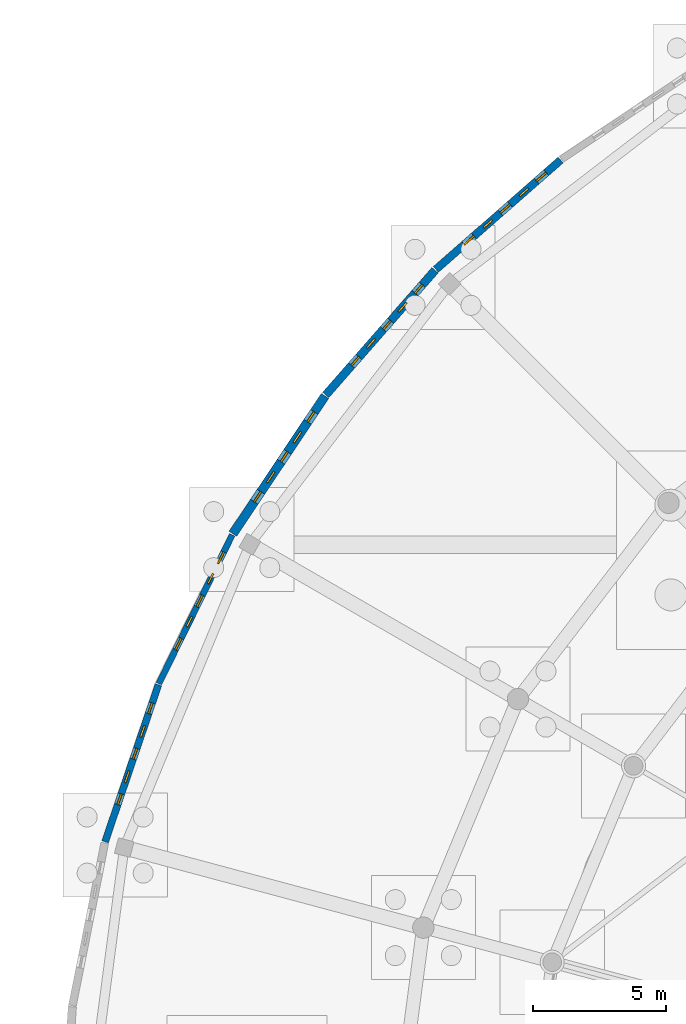
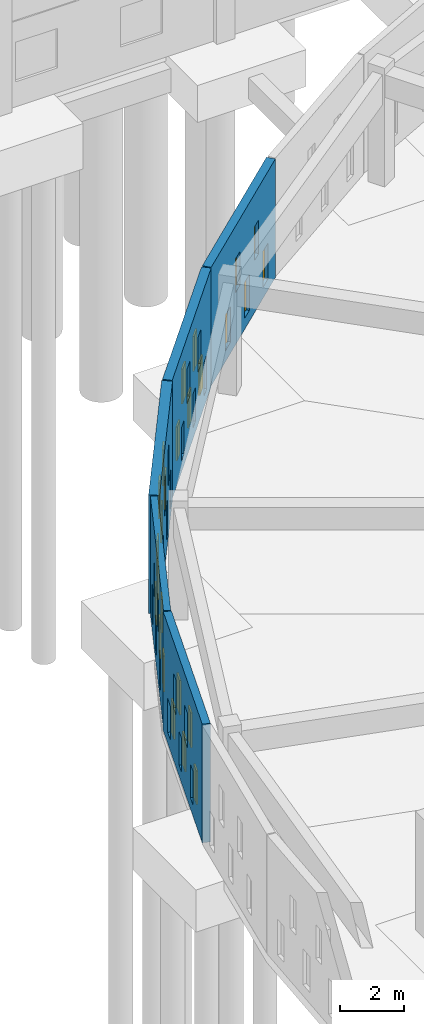
# One storey, part 50 of 84: 25 windows, 5 walls, 25 openings.
"""IFC4 building model written with IfcOpenShell, lengths in metres."""

import ifcopenshell
import ifcopenshell.guid

model = None  # the IFC model being written
_history = None  # IfcOwnerHistory: only IFC2X3 demands one
_inside = {}  # id of a spatial element -> (the spatial element, [elements in it])
_under = {}  # id of a project, library or spatial element -> (it, [spatial elements below it])
_declared = {}  # id of a project -> (the project, [libraries it declares])
_typed = {}  # id of a type object -> (the type object, [elements of that type])
_made_of = {}  # id of a material, layer set ... -> (it, [elements and type objects made of it])


def new_model(schema):
    """Start an empty IFC model of exactly this schema.

    Asked for "IFC4X3", IfcOpenShell would pick the latest addendum, in which some entities
    have other attributes; the version numbers below select the first issue.
    IFC2X3 requires an IfcOwnerHistory on every rooted entity: one is made here for all.
    """
    global model, _history
    if schema == "IFC4X3":
        model = ifcopenshell.file(schema_version=(4, 3, 0, 0))
    else:
        model = ifcopenshell.file(schema=schema)
    _inside.clear()
    _under.clear()
    _declared.clear()
    _typed.clear()
    _made_of.clear()
    _history = None
    if model.schema == "IFC2X3":
        org = make("IfcOrganization", Name="unknown")
        user = make(
            "IfcPersonAndOrganization",
            ThePerson=make("IfcPerson", FamilyName="unknown"),
            TheOrganization=org,
        )
        app = make(
            "IfcApplication",
            ApplicationDeveloper=org,
            Version="unknown",
            ApplicationFullName="unknown",
            ApplicationIdentifier="unknown",
        )
        _history = make(
            "IfcOwnerHistory",
            OwningUser=user,
            OwningApplication=app,
            ChangeAction="ADDED",
            CreationDate=0,
        )
    return model


def make(cls, **values):
    """One entity of the class cls with the attributes given. An attribute that is None is left unset."""
    return model.create_entity(
        cls, **{name: value for name, value in values.items() if value is not None}
    )


def rooted(cls, **values):
    """An entity with a GlobalId (a new one), such as an element, a storey or a relation."""
    return make(cls, GlobalId=ifcopenshell.guid.new(), OwnerHistory=_history, **values)


def si_unit(unit_type, name, prefix=None):
    """IfcSIUnit, for example si_unit("LENGTHUNIT", "METRE", prefix="MILLI")."""
    return make("IfcSIUnit", UnitType=unit_type, Prefix=prefix, Name=name)


def assignment(units):
    """IfcUnitAssignment: the units of a project."""
    return None if units is None else make("IfcUnitAssignment", Units=units)


def point(xyz):
    """IfcCartesianPoint."""
    return None if xyz is None else make("IfcCartesianPoint", Coordinates=xyz)


def direction(xyz):
    """IfcDirection."""
    return None if xyz is None else make("IfcDirection", DirectionRatios=xyz)


def frame(location, z_axis=None, x_axis=None):
    """IfcAxis2Placement3D, a coordinate frame: its origin and axes. An axis left out is left unset."""
    return make(
        "IfcAxis2Placement3D",
        Location=point(location),
        Axis=direction(z_axis),
        RefDirection=direction(x_axis),
    )


def frame_2d(location, x_axis=None):
    """IfcAxis2Placement2D, a coordinate frame in the plane: its origin and x axis."""
    return make(
        "IfcAxis2Placement2D", Location=point(location), RefDirection=direction(x_axis)
    )


def origin():
    """The frame at (0, 0, 0) with its axes left unset."""
    return frame((0.0, 0.0, 0.0))


def place(relative_to, where):
    """IfcLocalPlacement: puts the frame where relative to a parent placement (None: the world)."""
    return make(
        "IfcLocalPlacement", PlacementRelTo=relative_to, RelativePlacement=where
    )


def context(
    kind, dimensions, precision=None, world=None, true_north=None, identifier=None
):
    """IfcGeometricRepresentationContext, for example the 3D "Model" context."""
    return make(
        "IfcGeometricRepresentationContext",
        ContextIdentifier=identifier,
        ContextType=kind,
        CoordinateSpaceDimension=dimensions,
        Precision=precision,
        WorldCoordinateSystem=world,
        TrueNorth=true_north,
    )


def subcontext(parent, identifier, kind, view, scale=None):
    """IfcGeometricRepresentationSubContext, for example "Body" below "Model"."""
    return make(
        "IfcGeometricRepresentationSubContext",
        ContextIdentifier=identifier,
        ContextType=kind,
        ParentContext=parent,
        TargetScale=scale,
        TargetView=view,
    )


def project(units=None, contexts=None):
    """IfcProject with its units and contexts."""
    return rooted(
        "IfcProject",
        Name="project",
        RepresentationContexts=contexts,
        UnitsInContext=assignment(units),
    )


def spatial(cls, under=None, at=None, **own):
    """A site, building, storey or space (cls), placed at a placement, below another one or the project."""
    s = rooted(cls, ObjectPlacement=at, **own)
    if under is not None:
        _under.setdefault(under.id(), (under, []))[1].append(s)
    return s


def profile(cls, at=None, kind="AREA", **sizes):
    """A parametric profile (cls). Its sizes go by their IFC names, for example OverallWidth=200.0."""
    return make(cls, ProfileType=kind, Position=at, **sizes)


def rectangle(**sizes):
    """IfcRectangleProfileDef."""
    return profile("IfcRectangleProfileDef", **sizes)


def extrude(swept, where, along, depth):
    """IfcExtrudedAreaSolid: the profile swept, set in the frame where, extruded along a direction by depth."""
    return make(
        "IfcExtrudedAreaSolid",
        SweptArea=swept,
        Position=where,
        ExtrudedDirection=direction(along),
        Depth=depth,
    )


def shape(context_of_items, identifier, shape_type, items):
    """IfcShapeRepresentation: the items that make up one representation, for example the "Body"."""
    return make(
        "IfcShapeRepresentation",
        ContextOfItems=context_of_items,
        RepresentationIdentifier=identifier,
        RepresentationType=shape_type,
        Items=items,
    )


def material(Name=None, Category=None):
    """IfcMaterial."""
    return make("IfcMaterial", Name=Name, Category=Category)


def layer(
    of_material, thickness, ventilated=None, Name=None, Category=None, Priority=None
):
    """IfcMaterialLayer: one layer of a wall or slab, of a material (None: an air gap)."""
    return make(
        "IfcMaterialLayer",
        Material=of_material,
        LayerThickness=thickness,
        IsVentilated=ventilated,
        Name=Name,
        Category=Category,
        Priority=Priority,
    )


def layer_set(layers, Name=None):
    """IfcMaterialLayerSet."""
    return make("IfcMaterialLayerSet", MaterialLayers=layers, LayerSetName=Name)


def made_of(thing, what):
    """Note that an element or type object is made of a material, layer set ...; save() writes the relation."""
    if what is not None:
        _made_of.setdefault(what.id(), (what, []))[1].append(thing)
    return thing


def type_object(cls, material=None, **own):
    """A type object (cls), such as IfcWallType, which elements share."""
    return made_of(rooted(cls, **own), material)


def element(
    cls,
    number,
    at=None,
    inside=None,
    cuts=None,
    type_object=None,
    material=None,
    context=None,
    identifier="Body",
    shape_type=None,
    held_by="IfcProductDefinitionShape",
    body=None,
    shapes=None,
    **own,
):
    """One element of the class cls, such as IfcWall. Its Tag is "e" and its number.

    at: its placement. inside: the storey or other place that contains it. cuts: it is an
    opening in that element (IfcRelVoidsElement). A single representation is given by context,
    identifier, shape_type and body (its items); several are given by shapes. held_by: the class
    of the entity that holds the representations. save() writes the other relations.
    """
    e = rooted(cls, Tag="e%d" % number, ObjectPlacement=at, **own)
    if body is not None:
        shapes = [shape(context, identifier, shape_type, body)]
    if shapes is not None:
        e.Representation = make(held_by, Representations=shapes)
    if inside is not None:
        _inside.setdefault(inside.id(), (inside, []))[1].append(e)
    if cuts is not None:
        rooted(
            "IfcRelVoidsElement", RelatingBuildingElement=cuts, RelatedOpeningElement=e
        )
    if type_object is not None:
        _typed.setdefault(type_object.id(), (type_object, []))[1].append(e)
    return made_of(e, material)


def fill(opening, filler):
    """IfcRelFillsElement: the door or window that sits in an opening."""
    return rooted(
        "IfcRelFillsElement",
        RelatingOpeningElement=opening,
        RelatedBuildingElement=filler,
    )


def aggregate(whole, parts):
    """IfcRelAggregates: a whole, such as a stair, and the parts it consists of."""
    return rooted("IfcRelAggregates", RelatingObject=whole, RelatedObjects=parts)


def save(model, path):
    """Write the relations noted so far, then the file.

    IfcRelAggregates (storeys below a building ...), IfcRelContainedInSpatialStructure (elements
    in a storey), IfcRelDefinesByType, IfcRelAssociatesMaterial and IfcRelDeclares: one each for
    every whole, place, type object, material and project.
    """
    for whole, parts in _under.values():
        aggregate(whole, parts)
    for where, things in _inside.values():
        rooted(
            "IfcRelContainedInSpatialStructure",
            RelatedElements=things,
            RelatingStructure=where,
        )
    for kind, things in _typed.values():
        rooted("IfcRelDefinesByType", RelatedObjects=things, RelatingType=kind)
    for what, things in _made_of.values():
        rooted("IfcRelAssociatesMaterial", RelatedObjects=things, RelatingMaterial=what)
    for by, libraries in _declared.values():
        rooted("IfcRelDeclares", RelatingContext=by, RelatedDefinitions=libraries)
    model.write(path)


model = new_model("IFC4")

# Units and contexts
model_context = context("Model", 3, precision=1e-05, world=origin(), true_north=direction((0.0, 1.0)))
body_context = subcontext(model_context, "Body", "Model", "MODEL_VIEW")
ifc_project = project(units=[si_unit("LENGTHUNIT", "METRE"), si_unit("AREAUNIT", "SQUARE_METRE"), si_unit("VOLUMEUNIT", "CUBIC_METRE"), si_unit("PLANEANGLEUNIT", "RADIAN"), si_unit("MASSUNIT", "GRAM", prefix="KILO")], contexts=[model_context])

# Site, building, storey
site_placement = place(None, origin())
site = spatial("IfcSite", under=ifc_project, at=site_placement, CompositionType="ELEMENT")
building_placement = place(site_placement, origin())
building = spatial("IfcBuilding", under=site, at=building_placement, Name="Larkveld Mobility Hub", CompositionType="ELEMENT")
storey_placement = place(building_placement, origin())
storey = spatial("IfcBuildingStorey", under=building, at=storey_placement, Name="L00", CompositionType="ELEMENT", Elevation=0.0)

# Wall, openings, windows
ifc_material_1 = material(Name="Fired clay brick 25 MPa", Category="masonry")
ifc_layer_1 = layer(ifc_material_1, 0.22998046875, Name="Fired clay brick 25 MPa", Category="masonry")
ifc_layer_set_1 = layer_set([ifc_layer_1], Name="Fired clay brick 25 MPa")
wall_type_1 = type_object("IfcWallType", Name="WL-BRK-230", PredefinedType="USERDEFINED", material=ifc_layer_set_1)
wall_1_placement = place(storey_placement, frame((6.550048828125, 71.903076171875, 0.0), z_axis=(0.0, 0.0, 1.0), x_axis=(-0.442316740488, -0.896858908126, 0.0)))
wall_1 = element("IfcWall", 1, at=wall_1_placement, inside=storey, type_object=wall_type_1, Name="Drum Woven Open-Bond Brick Chord L00-0019", ObjectType="PERFORATED BRICK SCREEN", PredefinedType="USERDEFINED", context=body_context, shape_type="SweptSolid", body=[
    extrude(rectangle(XDim=6.210693359375, YDim=0.22998046875, at=frame_2d((3.10546875, 0.0))), origin(), (0.0, 0.0, 1.0), 4.5),
])
opening_1_placement = place(wall_1_placement, frame((0.719970703125, 0.0, 0.419921875)))
opening_1 = element("IfcOpeningElement", 2, at=opening_1_placement, cuts=wall_1, Name="Opening W03", PredefinedType="OPENING", context=body_context, shape_type="SweptSolid", body=[
    extrude(rectangle(XDim=0.47998046875, YDim=1.360107421875, at=frame_2d((0.239990234375, 0.68017578125))), frame((0.0, 0.125, 0.0), z_axis=(0.0, -1.0, 0.0), x_axis=(1.0, 0.0, 0.0)), (0.0, 0.0, 1.0), 0.25),
])
opening_2_placement = place(wall_1_placement, frame((2.52001953125, 0.0, 0.419921875)))
opening_2 = element("IfcOpeningElement", 3, at=opening_2_placement, cuts=wall_1, Name="Opening W03", PredefinedType="OPENING", context=body_context, shape_type="SweptSolid", body=[
    extrude(rectangle(XDim=0.47998046875, YDim=1.360107421875, at=frame_2d((0.239990234375, 0.68017578125))), frame((0.0, 0.125, 0.0), z_axis=(0.0, -1.0, 0.0), x_axis=(1.0, 0.0, 0.0)), (0.0, 0.0, 1.0), 0.25),
])
opening_3_placement = place(wall_1_placement, frame((4.320068359375, 0.0, 0.419921875)))
opening_3 = element("IfcOpeningElement", 4, at=opening_3_placement, cuts=wall_1, Name="Opening W03", PredefinedType="OPENING", context=body_context, shape_type="SweptSolid", body=[
    extrude(rectangle(XDim=0.47998046875, YDim=1.360107421875, at=frame_2d((0.239990234375, 0.68017578125))), frame((0.0, 0.125, 0.0), z_axis=(0.0, -1.0, 0.0), x_axis=(1.0, 0.0, 0.0)), (0.0, 0.0, 1.0), 0.25),
])
opening_4_placement = place(wall_1_placement, frame((1.6201171875, 0.0, 1.97998046875)))
opening_4 = element("IfcOpeningElement", 5, at=opening_4_placement, cuts=wall_1, Name="Opening W01", PredefinedType="OPENING", context=body_context, shape_type="SweptSolid", body=[
    extrude(rectangle(XDim=0.419921875, YDim=1.280029296875, at=frame_2d((0.2099609375, 0.64013671875))), frame((0.0, 0.125, 0.0), z_axis=(0.0, -1.0, 0.0), x_axis=(1.0, 0.0, 0.0)), (0.0, 0.0, 1.0), 0.25),
])
opening_5_placement = place(wall_1_placement, frame((3.419921875, 0.0, 1.97998046875)))
opening_5 = element("IfcOpeningElement", 6, at=opening_5_placement, cuts=wall_1, Name="Opening W01", PredefinedType="OPENING", context=body_context, shape_type="SweptSolid", body=[
    extrude(rectangle(XDim=0.419921875, YDim=1.280029296875, at=frame_2d((0.2099609375, 0.64013671875))), frame((0.0, 0.125, 0.0), z_axis=(0.0, -1.0, 0.0), x_axis=(1.0, 0.0, 0.0)), (0.0, 0.0, 1.0), 0.25),
])
ifc_material_2 = material(Name="Extruded aluminium ventilation grille", Category="aluminium")
window_type_1 = type_object("IfcWindowType", Name="WN-VENT-01", PartitioningType="SINGLE_PANEL", PredefinedType="WINDOW", material=ifc_material_2)
window_1_placement = place(opening_4_placement, origin())
window_1 = element("IfcWindow", 7, at=window_1_placement, inside=storey, type_object=window_type_1, Name="Window W01 (0094)", OverallHeight=1.280029296875, OverallWidth=0.419921875, PartitioningType="SINGLE_PANEL", PredefinedType="WINDOW", context=body_context, shape_type="SweptSolid", body=[
    extrude(rectangle(XDim=0.419921875, YDim=1.280029296875, at=frame_2d((0.2099609375, 0.64013671875))), frame((0.0, 0.030029296875, 0.0), z_axis=(0.0, -1.0, 0.0), x_axis=(1.0, 0.0, 0.0)), (0.0, 0.0, 1.0), 0.06005859375),
])
fill(opening_4, window_1)
window_2_placement = place(opening_5_placement, origin())
window_2 = element("IfcWindow", 8, at=window_2_placement, inside=storey, type_object=window_type_1, Name="Window W01 (0095)", OverallHeight=1.280029296875, OverallWidth=0.419921875, PartitioningType="SINGLE_PANEL", PredefinedType="WINDOW", context=body_context, shape_type="SweptSolid", body=[
    extrude(rectangle(XDim=0.419921875, YDim=1.280029296875, at=frame_2d((0.2099609375, 0.64013671875))), frame((0.0, 0.030029296875, 0.0), z_axis=(0.0, -1.0, 0.0), x_axis=(1.0, 0.0, 0.0)), (0.0, 0.0, 1.0), 0.06005859375),
])
fill(opening_5, window_2)
window_type_2 = type_object("IfcWindowType", Name="WN-VENT-03", PartitioningType="SINGLE_PANEL", PredefinedType="WINDOW", material=ifc_material_2)
window_3_placement = place(opening_1_placement, origin())
window_3 = element("IfcWindow", 9, at=window_3_placement, inside=storey, type_object=window_type_2, Name="Window W03 (0091)", OverallHeight=1.360107421875, OverallWidth=0.47998046875, PartitioningType="SINGLE_PANEL", PredefinedType="WINDOW", context=body_context, shape_type="SweptSolid", body=[
    extrude(rectangle(XDim=0.47998046875, YDim=1.360107421875, at=frame_2d((0.239990234375, 0.68017578125))), frame((0.0, 0.030029296875, 0.0), z_axis=(0.0, -1.0, 0.0), x_axis=(1.0, 0.0, 0.0)), (0.0, 0.0, 1.0), 0.06005859375),
])
fill(opening_1, window_3)
window_4_placement = place(opening_2_placement, origin())
window_4 = element("IfcWindow", 10, at=window_4_placement, inside=storey, type_object=window_type_2, Name="Window W03 (0092)", OverallHeight=1.360107421875, OverallWidth=0.47998046875, PartitioningType="SINGLE_PANEL", PredefinedType="WINDOW", context=body_context, shape_type="SweptSolid", body=[
    extrude(rectangle(XDim=0.47998046875, YDim=1.360107421875, at=frame_2d((0.239990234375, 0.68017578125))), frame((0.0, 0.030029296875, 0.0), z_axis=(0.0, -1.0, 0.0), x_axis=(1.0, 0.0, 0.0)), (0.0, 0.0, 1.0), 0.06005859375),
])
fill(opening_2, window_4)
window_5_placement = place(opening_3_placement, origin())
window_5 = element("IfcWindow", 11, at=window_5_placement, inside=storey, type_object=window_type_2, Name="Window W03 (0093)", OverallHeight=1.360107421875, OverallWidth=0.47998046875, PartitioningType="SINGLE_PANEL", PredefinedType="WINDOW", context=body_context, shape_type="SweptSolid", body=[
    extrude(rectangle(XDim=0.47998046875, YDim=1.360107421875, at=frame_2d((0.239990234375, 0.68017578125))), frame((0.0, 0.030029296875, 0.0), z_axis=(0.0, -1.0, 0.0), x_axis=(1.0, 0.0, 0.0)), (0.0, 0.0, 1.0), 0.06005859375),
])
fill(opening_3, window_5)

ifc_layer_2 = layer(ifc_material_1, 0.260009765625, Name="Fired clay brick 25 MPa", Category="masonry")
ifc_layer_set_2 = layer_set([ifc_layer_2], Name="Fired clay brick 25 MPa")
wall_type_2 = type_object("IfcWallType", Name="WL-BRK-260", PredefinedType="USERDEFINED", material=ifc_layer_set_2)
wall_2_placement = place(storey_placement, frame((3.783935546875, 66.2880859375, 0.0), z_axis=(0.0, 0.0, 1.0), x_axis=(-0.321364960579, -0.946955417172, 0.0)))
wall_2 = element("IfcWall", 12, at=wall_2_placement, inside=storey, type_object=wall_type_2, Name="Drum Woven Open-Bond Brick Chord L00-0020", ObjectType="PERFORATED BRICK SCREEN", PredefinedType="USERDEFINED", context=body_context, shape_type="SweptSolid", body=[
    extrude(rectangle(XDim=6.21044921875, YDim=0.260009765625, at=frame_2d((3.105224609375, 0.0))), origin(), (0.0, 0.0, 1.0), 4.5),
])
opening_6_placement = place(wall_2_placement, frame((0.719970703125, 0.0, 0.419921875)))
opening_6 = element("IfcOpeningElement", 13, at=opening_6_placement, cuts=wall_2, Name="Opening W01", PredefinedType="OPENING", context=body_context, shape_type="SweptSolid", body=[
    extrude(rectangle(XDim=0.419921875, YDim=1.280029296875, at=frame_2d((0.2099609375, 0.64013671875))), frame((0.0, 0.14013671875, 0.0), z_axis=(0.0, -1.0, 0.0), x_axis=(1.0, 0.0, 0.0)), (0.0, 0.0, 1.0), 0.280029296875),
])
opening_7_placement = place(wall_2_placement, frame((2.52001953125, 0.0, 0.419921875)))
opening_7 = element("IfcOpeningElement", 14, at=opening_7_placement, cuts=wall_2, Name="Opening W01", PredefinedType="OPENING", context=body_context, shape_type="SweptSolid", body=[
    extrude(rectangle(XDim=0.419921875, YDim=1.280029296875, at=frame_2d((0.2099609375, 0.64013671875))), frame((0.0, 0.14013671875, 0.0), z_axis=(0.0, -1.0, 0.0), x_axis=(1.0, 0.0, 0.0)), (0.0, 0.0, 1.0), 0.280029296875),
])
opening_8_placement = place(wall_2_placement, frame((4.320068359375, 0.0, 0.419921875)))
opening_8 = element("IfcOpeningElement", 15, at=opening_8_placement, cuts=wall_2, Name="Opening W01", PredefinedType="OPENING", context=body_context, shape_type="SweptSolid", body=[
    extrude(rectangle(XDim=0.419921875, YDim=1.280029296875, at=frame_2d((0.2099609375, 0.64013671875))), frame((0.0, 0.14013671875, 0.0), z_axis=(0.0, -1.0, 0.0), x_axis=(1.0, 0.0, 0.0)), (0.0, 0.0, 1.0), 0.280029296875),
])
opening_9_placement = place(wall_2_placement, frame((1.6201171875, 0.0, 1.97998046875)))
opening_9 = element("IfcOpeningElement", 16, at=opening_9_placement, cuts=wall_2, Name="Opening W02", PredefinedType="OPENING", context=body_context, shape_type="SweptSolid", body=[
    extrude(rectangle(XDim=0.449951171875, YDim=1.320068359375, at=frame_2d((0.22509765625, 0.66015625))), frame((0.0, 0.14013671875, 0.0), z_axis=(0.0, -1.0, 0.0), x_axis=(1.0, 0.0, 0.0)), (0.0, 0.0, 1.0), 0.280029296875),
])
opening_10_placement = place(wall_2_placement, frame((3.419921875, 0.0, 1.97998046875)))
opening_10 = element("IfcOpeningElement", 17, at=opening_10_placement, cuts=wall_2, Name="Opening W02", PredefinedType="OPENING", context=body_context, shape_type="SweptSolid", body=[
    extrude(rectangle(XDim=0.449951171875, YDim=1.320068359375, at=frame_2d((0.22509765625, 0.66015625))), frame((0.0, 0.14013671875, 0.0), z_axis=(0.0, -1.0, 0.0), x_axis=(1.0, 0.0, 0.0)), (0.0, 0.0, 1.0), 0.280029296875),
])
window_6_placement = place(opening_6_placement, origin())
window_6 = element("IfcWindow", 18, at=window_6_placement, inside=storey, type_object=window_type_1, Name="Window W01 (0096)", OverallHeight=1.280029296875, OverallWidth=0.419921875, PartitioningType="SINGLE_PANEL", PredefinedType="WINDOW", context=body_context, shape_type="SweptSolid", body=[
    extrude(rectangle(XDim=0.419921875, YDim=1.280029296875, at=frame_2d((0.2099609375, 0.64013671875))), frame((0.0, 0.030029296875, 0.0), z_axis=(0.0, -1.0, 0.0), x_axis=(1.0, 0.0, 0.0)), (0.0, 0.0, 1.0), 0.06005859375),
])
fill(opening_6, window_6)
window_7_placement = place(opening_7_placement, origin())
window_7 = element("IfcWindow", 19, at=window_7_placement, inside=storey, type_object=window_type_1, Name="Window W01 (0097)", OverallHeight=1.280029296875, OverallWidth=0.419921875, PartitioningType="SINGLE_PANEL", PredefinedType="WINDOW", context=body_context, shape_type="SweptSolid", body=[
    extrude(rectangle(XDim=0.419921875, YDim=1.280029296875, at=frame_2d((0.2099609375, 0.64013671875))), frame((0.0, 0.030029296875, 0.0), z_axis=(0.0, -1.0, 0.0), x_axis=(1.0, 0.0, 0.0)), (0.0, 0.0, 1.0), 0.06005859375),
])
fill(opening_7, window_7)
window_8_placement = place(opening_8_placement, origin())
window_8 = element("IfcWindow", 20, at=window_8_placement, inside=storey, type_object=window_type_1, Name="Window W01 (0098)", OverallHeight=1.280029296875, OverallWidth=0.419921875, PartitioningType="SINGLE_PANEL", PredefinedType="WINDOW", context=body_context, shape_type="SweptSolid", body=[
    extrude(rectangle(XDim=0.419921875, YDim=1.280029296875, at=frame_2d((0.2099609375, 0.64013671875))), frame((0.0, 0.030029296875, 0.0), z_axis=(0.0, -1.0, 0.0), x_axis=(1.0, 0.0, 0.0)), (0.0, 0.0, 1.0), 0.06005859375),
])
fill(opening_8, window_8)
window_type_3 = type_object("IfcWindowType", Name="WN-VENT-02", PartitioningType="SINGLE_PANEL", PredefinedType="WINDOW", material=ifc_material_2)
window_9_placement = place(opening_9_placement, origin())
window_9 = element("IfcWindow", 21, at=window_9_placement, inside=storey, type_object=window_type_3, Name="Window W02 (0099)", OverallHeight=1.320068359375, OverallWidth=0.449951171875, PartitioningType="SINGLE_PANEL", PredefinedType="WINDOW", context=body_context, shape_type="SweptSolid", body=[
    extrude(rectangle(XDim=0.449951171875, YDim=1.320068359375, at=frame_2d((0.22509765625, 0.66015625))), frame((0.0, 0.030029296875, 0.0), z_axis=(0.0, -1.0, 0.0), x_axis=(1.0, 0.0, 0.0)), (0.0, 0.0, 1.0), 0.06005859375),
])
fill(opening_9, window_9)
window_10_placement = place(opening_10_placement, origin())
window_10 = element("IfcWindow", 22, at=window_10_placement, inside=storey, type_object=window_type_3, Name="Window W02 (0100)", OverallHeight=1.320068359375, OverallWidth=0.449951171875, PartitioningType="SINGLE_PANEL", PredefinedType="WINDOW", context=body_context, shape_type="SweptSolid", body=[
    extrude(rectangle(XDim=0.449951171875, YDim=1.320068359375, at=frame_2d((0.22509765625, 0.66015625))), frame((0.0, 0.030029296875, 0.0), z_axis=(0.0, -1.0, 0.0), x_axis=(1.0, 0.0, 0.0)), (0.0, 0.0, 1.0), 0.06005859375),
])
fill(opening_10, window_10)

ifc_layer_3 = layer(ifc_material_1, 0.2900390625, Name="Fired clay brick 25 MPa", Category="masonry")
ifc_layer_set_3 = layer_set([ifc_layer_3], Name="Fired clay brick 25 MPa")
wall_type_3 = type_object("IfcWallType", Name="WL-BRK-290", PredefinedType="USERDEFINED", material=ifc_layer_set_3)
wall_3_placement = place(storey_placement, frame((18.85302734375, 85.946044921875, 0.0), z_axis=(0.0, 0.0, 1.0), x_axis=(-0.751874993266, -0.65930569124, 0.0)))
wall_3 = element("IfcWall", 23, at=wall_3_placement, inside=storey, type_object=wall_type_3, Name="Drum Woven Open-Bond Brick Chord L00-0016", ObjectType="PERFORATED BRICK SCREEN", PredefinedType="USERDEFINED", context=body_context, shape_type="SweptSolid", body=[
    extrude(rectangle(XDim=6.2109375, YDim=0.2900390625, at=frame_2d((3.10546875, 0.0))), origin(), (0.0, 0.0, 1.0), 4.5),
])
opening_11_placement = place(wall_3_placement, frame((0.719970703125, 0.0, 0.419921875)))
opening_11 = element("IfcOpeningElement", 24, at=opening_11_placement, cuts=wall_3, Name="Opening W03", PredefinedType="OPENING", context=body_context, shape_type="SweptSolid", body=[
    extrude(rectangle(XDim=0.47998046875, YDim=1.360107421875, at=frame_2d((0.239990234375, 0.68017578125))), frame((0.0, 0.155029296875, 0.0), z_axis=(0.0, -1.0, 0.0), x_axis=(1.0, 0.0, 0.0)), (0.0, 0.0, 1.0), 0.31005859375),
])
opening_12_placement = place(wall_3_placement, frame((2.52001953125, 0.0, 0.419921875)))
opening_12 = element("IfcOpeningElement", 25, at=opening_12_placement, cuts=wall_3, Name="Opening W03", PredefinedType="OPENING", context=body_context, shape_type="SweptSolid", body=[
    extrude(rectangle(XDim=0.47998046875, YDim=1.360107421875, at=frame_2d((0.239990234375, 0.68017578125))), frame((0.0, 0.155029296875, 0.0), z_axis=(0.0, -1.0, 0.0), x_axis=(1.0, 0.0, 0.0)), (0.0, 0.0, 1.0), 0.31005859375),
])
opening_13_placement = place(wall_3_placement, frame((4.320068359375, 0.0, 0.419921875)))
opening_13 = element("IfcOpeningElement", 26, at=opening_13_placement, cuts=wall_3, Name="Opening W03", PredefinedType="OPENING", context=body_context, shape_type="SweptSolid", body=[
    extrude(rectangle(XDim=0.47998046875, YDim=1.360107421875, at=frame_2d((0.239990234375, 0.68017578125))), frame((0.0, 0.155029296875, 0.0), z_axis=(0.0, -1.0, 0.0), x_axis=(1.0, 0.0, 0.0)), (0.0, 0.0, 1.0), 0.31005859375),
])
opening_14_placement = place(wall_3_placement, frame((1.6201171875, 0.0, 1.97998046875)))
opening_14 = element("IfcOpeningElement", 27, at=opening_14_placement, cuts=wall_3, Name="Opening W01", PredefinedType="OPENING", context=body_context, shape_type="SweptSolid", body=[
    extrude(rectangle(XDim=0.419921875, YDim=1.280029296875, at=frame_2d((0.2099609375, 0.64013671875))), frame((0.0, 0.155029296875, 0.0), z_axis=(0.0, -1.0, 0.0), x_axis=(1.0, 0.0, 0.0)), (0.0, 0.0, 1.0), 0.31005859375),
])
opening_15_placement = place(wall_3_placement, frame((3.419921875, 0.0, 1.97998046875)))
opening_15 = element("IfcOpeningElement", 28, at=opening_15_placement, cuts=wall_3, Name="Opening W01", PredefinedType="OPENING", context=body_context, shape_type="SweptSolid", body=[
    extrude(rectangle(XDim=0.419921875, YDim=1.280029296875, at=frame_2d((0.2099609375, 0.64013671875))), frame((0.0, 0.155029296875, 0.0), z_axis=(0.0, -1.0, 0.0), x_axis=(1.0, 0.0, 0.0)), (0.0, 0.0, 1.0), 0.31005859375),
])
window_11_placement = place(opening_14_placement, origin())
window_11 = element("IfcWindow", 29, at=window_11_placement, inside=storey, type_object=window_type_1, Name="Window W01 (0079)", OverallHeight=1.280029296875, OverallWidth=0.419921875, PartitioningType="SINGLE_PANEL", PredefinedType="WINDOW", context=body_context, shape_type="SweptSolid", body=[
    extrude(rectangle(XDim=0.419921875, YDim=1.280029296875, at=frame_2d((0.2099609375, 0.64013671875))), frame((0.0, 0.030029296875, 0.0), z_axis=(0.0, -1.0, 0.0), x_axis=(1.0, 0.0, 0.0)), (0.0, 0.0, 1.0), 0.06005859375),
])
fill(opening_14, window_11)
window_12_placement = place(opening_15_placement, origin())
window_12 = element("IfcWindow", 30, at=window_12_placement, inside=storey, type_object=window_type_1, Name="Window W01 (0080)", OverallHeight=1.280029296875, OverallWidth=0.419921875, PartitioningType="SINGLE_PANEL", PredefinedType="WINDOW", context=body_context, shape_type="SweptSolid", body=[
    extrude(rectangle(XDim=0.419921875, YDim=1.280029296875, at=frame_2d((0.2099609375, 0.64013671875))), frame((0.0, 0.030029296875, 0.0), z_axis=(0.0, -1.0, 0.0), x_axis=(1.0, 0.0, 0.0)), (0.0, 0.0, 1.0), 0.06005859375),
])
fill(opening_15, window_12)
window_13_placement = place(opening_11_placement, origin())
window_13 = element("IfcWindow", 31, at=window_13_placement, inside=storey, type_object=window_type_2, Name="Window W03 (0076)", OverallHeight=1.360107421875, OverallWidth=0.47998046875, PartitioningType="SINGLE_PANEL", PredefinedType="WINDOW", context=body_context, shape_type="SweptSolid", body=[
    extrude(rectangle(XDim=0.47998046875, YDim=1.360107421875, at=frame_2d((0.239990234375, 0.68017578125))), frame((0.0, 0.030029296875, 0.0), z_axis=(0.0, -1.0, 0.0), x_axis=(1.0, 0.0, 0.0)), (0.0, 0.0, 1.0), 0.06005859375),
])
fill(opening_11, window_13)
window_14_placement = place(opening_12_placement, origin())
window_14 = element("IfcWindow", 32, at=window_14_placement, inside=storey, type_object=window_type_2, Name="Window W03 (0077)", OverallHeight=1.360107421875, OverallWidth=0.47998046875, PartitioningType="SINGLE_PANEL", PredefinedType="WINDOW", context=body_context, shape_type="SweptSolid", body=[
    extrude(rectangle(XDim=0.47998046875, YDim=1.360107421875, at=frame_2d((0.239990234375, 0.68017578125))), frame((0.0, 0.030029296875, 0.0), z_axis=(0.0, -1.0, 0.0), x_axis=(1.0, 0.0, 0.0)), (0.0, 0.0, 1.0), 0.06005859375),
])
fill(opening_12, window_14)
window_15_placement = place(opening_13_placement, origin())
window_15 = element("IfcWindow", 33, at=window_15_placement, inside=storey, type_object=window_type_2, Name="Window W03 (0078)", OverallHeight=1.360107421875, OverallWidth=0.47998046875, PartitioningType="SINGLE_PANEL", PredefinedType="WINDOW", context=body_context, shape_type="SweptSolid", body=[
    extrude(rectangle(XDim=0.47998046875, YDim=1.360107421875, at=frame_2d((0.239990234375, 0.68017578125))), frame((0.0, 0.030029296875, 0.0), z_axis=(0.0, -1.0, 0.0), x_axis=(1.0, 0.0, 0.0)), (0.0, 0.0, 1.0), 0.06005859375),
])
fill(opening_13, window_15)

ifc_layer_4 = layer(ifc_material_1, 0.31005859375, Name="Fired clay brick 25 MPa", Category="masonry")
ifc_layer_set_4 = layer_set([ifc_layer_4], Name="Fired clay brick 25 MPa")
wall_type_4 = type_object("IfcWallType", Name="WL-BRK-310", PredefinedType="USERDEFINED", material=ifc_layer_set_4)
wall_4_placement = place(storey_placement, frame((14.14892578125, 81.81689453125, 0.0), z_axis=(0.0, 0.0, 1.0), x_axis=(-0.65930569124, -0.751874993266, 0.0)))
wall_4 = element("IfcWall", 34, at=wall_4_placement, inside=storey, type_object=wall_type_4, Name="Drum Woven Open-Bond Brick Chord L00-0017", ObjectType="PERFORATED BRICK SCREEN", PredefinedType="USERDEFINED", context=body_context, shape_type="SweptSolid", body=[
    extrude(rectangle(XDim=6.2109375, YDim=0.31005859375, at=frame_2d((3.10546875, 0.0))), origin(), (0.0, 0.0, 1.0), 4.5),
])
opening_16_placement = place(wall_4_placement, frame((0.719970703125, 0.0, 0.419921875)))
opening_16 = element("IfcOpeningElement", 35, at=opening_16_placement, cuts=wall_4, Name="Opening W01", PredefinedType="OPENING", context=body_context, shape_type="SweptSolid", body=[
    extrude(rectangle(XDim=0.419921875, YDim=1.280029296875, at=frame_2d((0.2099609375, 0.64013671875))), frame((0.0, 0.1650390625, 0.0), z_axis=(0.0, -1.0, 0.0), x_axis=(1.0, 0.0, 0.0)), (0.0, 0.0, 1.0), 0.330078125),
])
opening_17_placement = place(wall_4_placement, frame((2.52001953125, 0.0, 0.419921875)))
opening_17 = element("IfcOpeningElement", 36, at=opening_17_placement, cuts=wall_4, Name="Opening W01", PredefinedType="OPENING", context=body_context, shape_type="SweptSolid", body=[
    extrude(rectangle(XDim=0.419921875, YDim=1.280029296875, at=frame_2d((0.2099609375, 0.64013671875))), frame((0.0, 0.1650390625, 0.0), z_axis=(0.0, -1.0, 0.0), x_axis=(1.0, 0.0, 0.0)), (0.0, 0.0, 1.0), 0.330078125),
])
opening_18_placement = place(wall_4_placement, frame((4.320068359375, 0.0, 0.419921875)))
opening_18 = element("IfcOpeningElement", 37, at=opening_18_placement, cuts=wall_4, Name="Opening W01", PredefinedType="OPENING", context=body_context, shape_type="SweptSolid", body=[
    extrude(rectangle(XDim=0.419921875, YDim=1.280029296875, at=frame_2d((0.2099609375, 0.64013671875))), frame((0.0, 0.1650390625, 0.0), z_axis=(0.0, -1.0, 0.0), x_axis=(1.0, 0.0, 0.0)), (0.0, 0.0, 1.0), 0.330078125),
])
opening_19_placement = place(wall_4_placement, frame((1.6201171875, 0.0, 1.97998046875)))
opening_19 = element("IfcOpeningElement", 38, at=opening_19_placement, cuts=wall_4, Name="Opening W02", PredefinedType="OPENING", context=body_context, shape_type="SweptSolid", body=[
    extrude(rectangle(XDim=0.449951171875, YDim=1.320068359375, at=frame_2d((0.22509765625, 0.66015625))), frame((0.0, 0.1650390625, 0.0), z_axis=(0.0, -1.0, 0.0), x_axis=(1.0, 0.0, 0.0)), (0.0, 0.0, 1.0), 0.330078125),
])
opening_20_placement = place(wall_4_placement, frame((3.419921875, 0.0, 1.97998046875)))
opening_20 = element("IfcOpeningElement", 39, at=opening_20_placement, cuts=wall_4, Name="Opening W02", PredefinedType="OPENING", context=body_context, shape_type="SweptSolid", body=[
    extrude(rectangle(XDim=0.449951171875, YDim=1.320068359375, at=frame_2d((0.22509765625, 0.66015625))), frame((0.0, 0.1650390625, 0.0), z_axis=(0.0, -1.0, 0.0), x_axis=(1.0, 0.0, 0.0)), (0.0, 0.0, 1.0), 0.330078125),
])
window_16_placement = place(opening_16_placement, origin())
window_16 = element("IfcWindow", 40, at=window_16_placement, inside=storey, type_object=window_type_1, Name="Window W01 (0081)", OverallHeight=1.280029296875, OverallWidth=0.419921875, PartitioningType="SINGLE_PANEL", PredefinedType="WINDOW", context=body_context, shape_type="SweptSolid", body=[
    extrude(rectangle(XDim=0.419921875, YDim=1.280029296875, at=frame_2d((0.2099609375, 0.64013671875))), frame((0.0, 0.030029296875, 0.0), z_axis=(0.0, -1.0, 0.0), x_axis=(1.0, 0.0, 0.0)), (0.0, 0.0, 1.0), 0.06005859375),
])
fill(opening_16, window_16)
window_17_placement = place(opening_17_placement, origin())
window_17 = element("IfcWindow", 41, at=window_17_placement, inside=storey, type_object=window_type_1, Name="Window W01 (0082)", OverallHeight=1.280029296875, OverallWidth=0.419921875, PartitioningType="SINGLE_PANEL", PredefinedType="WINDOW", context=body_context, shape_type="SweptSolid", body=[
    extrude(rectangle(XDim=0.419921875, YDim=1.280029296875, at=frame_2d((0.2099609375, 0.64013671875))), frame((0.0, 0.030029296875, 0.0), z_axis=(0.0, -1.0, 0.0), x_axis=(1.0, 0.0, 0.0)), (0.0, 0.0, 1.0), 0.06005859375),
])
fill(opening_17, window_17)
window_18_placement = place(opening_18_placement, origin())
window_18 = element("IfcWindow", 42, at=window_18_placement, inside=storey, type_object=window_type_1, Name="Window W01 (0083)", OverallHeight=1.280029296875, OverallWidth=0.419921875, PartitioningType="SINGLE_PANEL", PredefinedType="WINDOW", context=body_context, shape_type="SweptSolid", body=[
    extrude(rectangle(XDim=0.419921875, YDim=1.280029296875, at=frame_2d((0.2099609375, 0.64013671875))), frame((0.0, 0.030029296875, 0.0), z_axis=(0.0, -1.0, 0.0), x_axis=(1.0, 0.0, 0.0)), (0.0, 0.0, 1.0), 0.06005859375),
])
fill(opening_18, window_18)
window_19_placement = place(opening_19_placement, origin())
window_19 = element("IfcWindow", 43, at=window_19_placement, inside=storey, type_object=window_type_3, Name="Window W02 (0084)", OverallHeight=1.320068359375, OverallWidth=0.449951171875, PartitioningType="SINGLE_PANEL", PredefinedType="WINDOW", context=body_context, shape_type="SweptSolid", body=[
    extrude(rectangle(XDim=0.449951171875, YDim=1.320068359375, at=frame_2d((0.22509765625, 0.66015625))), frame((0.0, 0.030029296875, 0.0), z_axis=(0.0, -1.0, 0.0), x_axis=(1.0, 0.0, 0.0)), (0.0, 0.0, 1.0), 0.06005859375),
])
fill(opening_19, window_19)
window_20_placement = place(opening_20_placement, origin())
window_20 = element("IfcWindow", 44, at=window_20_placement, inside=storey, type_object=window_type_3, Name="Window W02 (0085)", OverallHeight=1.320068359375, OverallWidth=0.449951171875, PartitioningType="SINGLE_PANEL", PredefinedType="WINDOW", context=body_context, shape_type="SweptSolid", body=[
    extrude(rectangle(XDim=0.449951171875, YDim=1.320068359375, at=frame_2d((0.22509765625, 0.66015625))), frame((0.0, 0.030029296875, 0.0), z_axis=(0.0, -1.0, 0.0), x_axis=(1.0, 0.0, 0.0)), (0.0, 0.0, 1.0), 0.06005859375),
])
fill(opening_20, window_20)

ifc_layer_5 = layer(ifc_material_1, 0.340087890625, Name="Fired clay brick 25 MPa", Category="masonry")
ifc_layer_set_5 = layer_set([ifc_layer_5], Name="Fired clay brick 25 MPa")
wall_type_5 = type_object("IfcWallType", Name="WL-BRK-340", PredefinedType="USERDEFINED", material=ifc_layer_set_5)
wall_5_placement = place(storey_placement, frame((10.02490234375, 77.10888671875, 0.0), z_axis=(0.0, 0.0, 1.0), x_axis=(-0.555634193664, -0.831426871608, 0.0)))
wall_5 = element("IfcWall", 45, at=wall_5_placement, inside=storey, type_object=wall_type_5, Name="Drum Woven Open-Bond Brick Chord L00-0018", ObjectType="PERFORATED BRICK SCREEN", PredefinedType="USERDEFINED", context=body_context, shape_type="SweptSolid", body=[
    extrude(rectangle(XDim=6.210693359375, YDim=0.340087890625, at=frame_2d((3.10546875, 0.0))), origin(), (0.0, 0.0, 1.0), 4.5),
])
opening_21_placement = place(wall_5_placement, frame((0.719970703125, 0.0, 0.419921875)))
opening_21 = element("IfcOpeningElement", 46, at=opening_21_placement, cuts=wall_5, Name="Opening W02", PredefinedType="OPENING", context=body_context, shape_type="SweptSolid", body=[
    extrude(rectangle(XDim=0.449951171875, YDim=1.320068359375, at=frame_2d((0.22509765625, 0.66015625))), frame((0.0, 0.18017578125, 0.0), z_axis=(0.0, -1.0, 0.0), x_axis=(1.0, 0.0, 0.0)), (0.0, 0.0, 1.0), 0.360107421875),
])
opening_22_placement = place(wall_5_placement, frame((2.52001953125, 0.0, 0.419921875)))
opening_22 = element("IfcOpeningElement", 47, at=opening_22_placement, cuts=wall_5, Name="Opening W02", PredefinedType="OPENING", context=body_context, shape_type="SweptSolid", body=[
    extrude(rectangle(XDim=0.449951171875, YDim=1.320068359375, at=frame_2d((0.22509765625, 0.66015625))), frame((0.0, 0.18017578125, 0.0), z_axis=(0.0, -1.0, 0.0), x_axis=(1.0, 0.0, 0.0)), (0.0, 0.0, 1.0), 0.360107421875),
])
opening_23_placement = place(wall_5_placement, frame((4.320068359375, 0.0, 0.419921875)))
opening_23 = element("IfcOpeningElement", 48, at=opening_23_placement, cuts=wall_5, Name="Opening W02", PredefinedType="OPENING", context=body_context, shape_type="SweptSolid", body=[
    extrude(rectangle(XDim=0.449951171875, YDim=1.320068359375, at=frame_2d((0.22509765625, 0.66015625))), frame((0.0, 0.18017578125, 0.0), z_axis=(0.0, -1.0, 0.0), x_axis=(1.0, 0.0, 0.0)), (0.0, 0.0, 1.0), 0.360107421875),
])
opening_24_placement = place(wall_5_placement, frame((1.6201171875, 0.0, 1.97998046875)))
opening_24 = element("IfcOpeningElement", 49, at=opening_24_placement, cuts=wall_5, Name="Opening W03", PredefinedType="OPENING", context=body_context, shape_type="SweptSolid", body=[
    extrude(rectangle(XDim=0.47998046875, YDim=1.360107421875, at=frame_2d((0.239990234375, 0.68017578125))), frame((0.0, 0.18017578125, 0.0), z_axis=(0.0, -1.0, 0.0), x_axis=(1.0, 0.0, 0.0)), (0.0, 0.0, 1.0), 0.360107421875),
])
opening_25_placement = place(wall_5_placement, frame((3.419921875, 0.0, 1.97998046875)))
opening_25 = element("IfcOpeningElement", 50, at=opening_25_placement, cuts=wall_5, Name="Opening W03", PredefinedType="OPENING", context=body_context, shape_type="SweptSolid", body=[
    extrude(rectangle(XDim=0.47998046875, YDim=1.360107421875, at=frame_2d((0.239990234375, 0.68017578125))), frame((0.0, 0.18017578125, 0.0), z_axis=(0.0, -1.0, 0.0), x_axis=(1.0, 0.0, 0.0)), (0.0, 0.0, 1.0), 0.360107421875),
])
window_21_placement = place(opening_21_placement, origin())
window_21 = element("IfcWindow", 51, at=window_21_placement, inside=storey, type_object=window_type_3, Name="Window W02 (0086)", OverallHeight=1.320068359375, OverallWidth=0.449951171875, PartitioningType="SINGLE_PANEL", PredefinedType="WINDOW", context=body_context, shape_type="SweptSolid", body=[
    extrude(rectangle(XDim=0.449951171875, YDim=1.320068359375, at=frame_2d((0.22509765625, 0.66015625))), frame((0.0, 0.030029296875, 0.0), z_axis=(0.0, -1.0, 0.0), x_axis=(1.0, 0.0, 0.0)), (0.0, 0.0, 1.0), 0.06005859375),
])
fill(opening_21, window_21)
window_22_placement = place(opening_22_placement, origin())
window_22 = element("IfcWindow", 52, at=window_22_placement, inside=storey, type_object=window_type_3, Name="Window W02 (0087)", OverallHeight=1.320068359375, OverallWidth=0.449951171875, PartitioningType="SINGLE_PANEL", PredefinedType="WINDOW", context=body_context, shape_type="SweptSolid", body=[
    extrude(rectangle(XDim=0.449951171875, YDim=1.320068359375, at=frame_2d((0.22509765625, 0.66015625))), frame((0.0, 0.030029296875, 0.0), z_axis=(0.0, -1.0, 0.0), x_axis=(1.0, 0.0, 0.0)), (0.0, 0.0, 1.0), 0.06005859375),
])
fill(opening_22, window_22)
window_23_placement = place(opening_23_placement, origin())
window_23 = element("IfcWindow", 53, at=window_23_placement, inside=storey, type_object=window_type_3, Name="Window W02 (0088)", OverallHeight=1.320068359375, OverallWidth=0.449951171875, PartitioningType="SINGLE_PANEL", PredefinedType="WINDOW", context=body_context, shape_type="SweptSolid", body=[
    extrude(rectangle(XDim=0.449951171875, YDim=1.320068359375, at=frame_2d((0.22509765625, 0.66015625))), frame((0.0, 0.030029296875, 0.0), z_axis=(0.0, -1.0, 0.0), x_axis=(1.0, 0.0, 0.0)), (0.0, 0.0, 1.0), 0.06005859375),
])
fill(opening_23, window_23)
window_24_placement = place(opening_24_placement, origin())
window_24 = element("IfcWindow", 54, at=window_24_placement, inside=storey, type_object=window_type_2, Name="Window W03 (0089)", OverallHeight=1.360107421875, OverallWidth=0.47998046875, PartitioningType="SINGLE_PANEL", PredefinedType="WINDOW", context=body_context, shape_type="SweptSolid", body=[
    extrude(rectangle(XDim=0.47998046875, YDim=1.360107421875, at=frame_2d((0.239990234375, 0.68017578125))), frame((0.0, 0.030029296875, 0.0), z_axis=(0.0, -1.0, 0.0), x_axis=(1.0, 0.0, 0.0)), (0.0, 0.0, 1.0), 0.06005859375),
])
fill(opening_24, window_24)
window_25_placement = place(opening_25_placement, origin())
window_25 = element("IfcWindow", 55, at=window_25_placement, inside=storey, type_object=window_type_2, Name="Window W03 (0090)", OverallHeight=1.360107421875, OverallWidth=0.47998046875, PartitioningType="SINGLE_PANEL", PredefinedType="WINDOW", context=body_context, shape_type="SweptSolid", body=[
    extrude(rectangle(XDim=0.47998046875, YDim=1.360107421875, at=frame_2d((0.239990234375, 0.68017578125))), frame((0.0, 0.030029296875, 0.0), z_axis=(0.0, -1.0, 0.0), x_axis=(1.0, 0.0, 0.0)), (0.0, 0.0, 1.0), 0.06005859375),
])
fill(opening_25, window_25)

save(model, "model.ifc")
